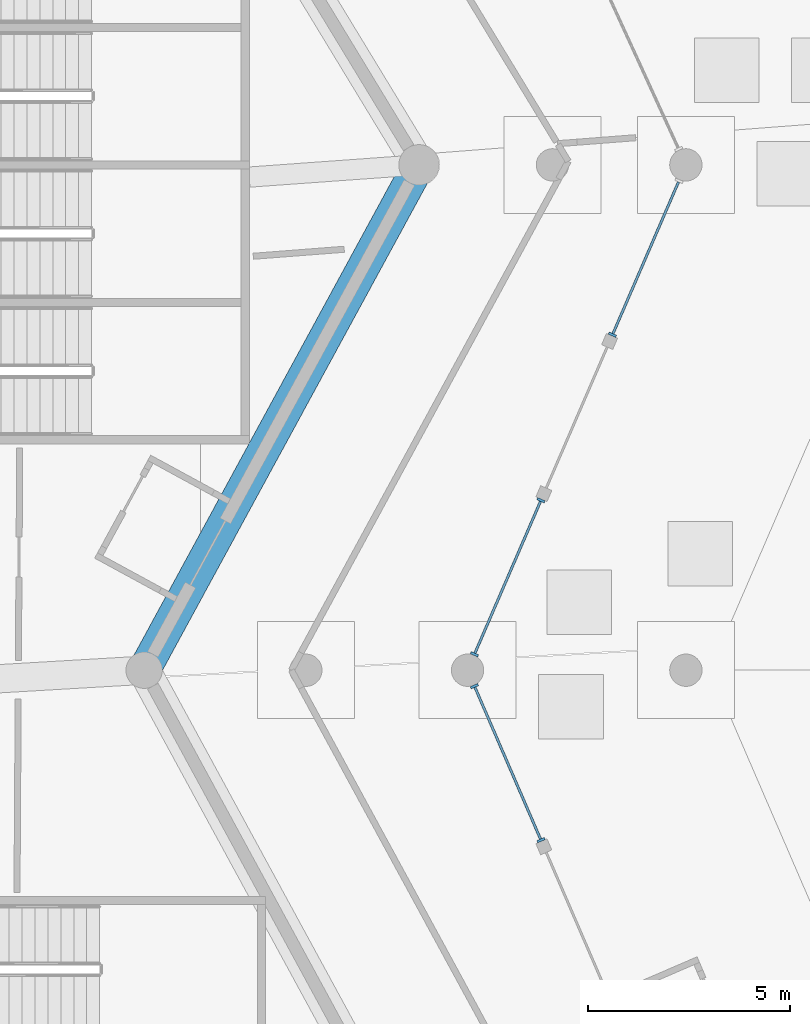
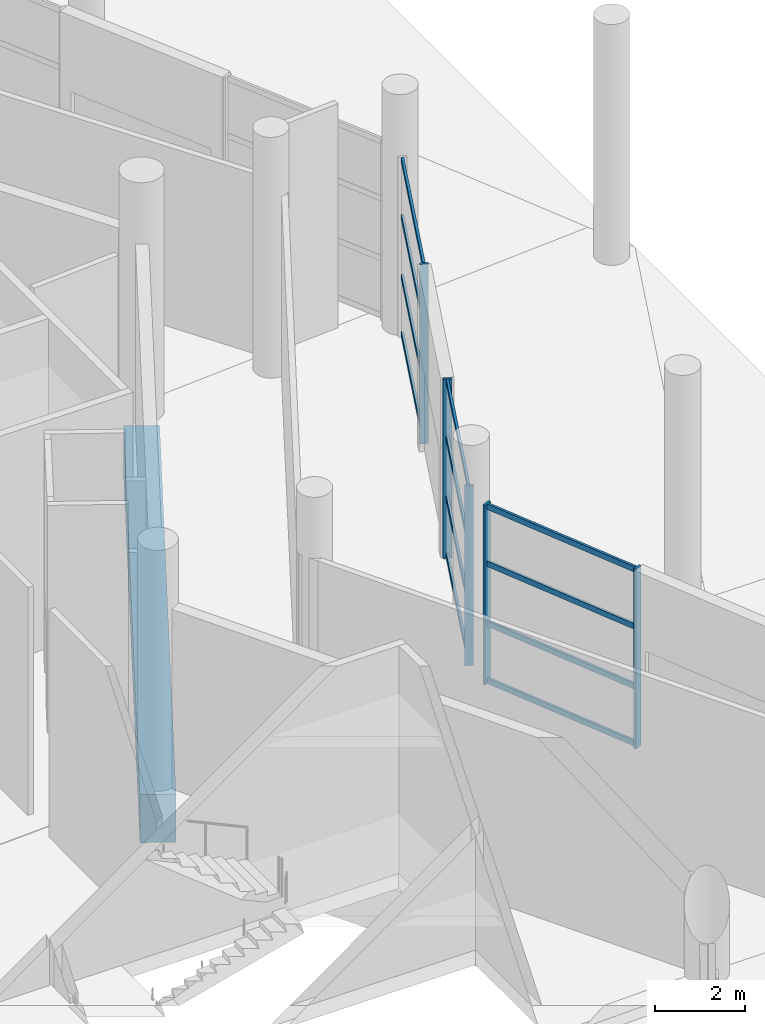
# One storey, part 58 of 255: 17 members, 1 beam, 3 elements without a shape of their own.
"""IFC4 building model written with IfcOpenShell, lengths in metres."""

from ifc_helpers import new_model, si_unit, direction, frame, origin, origin_2d, place, context, subcontext, project, spatial, rectangle, extrude, material, layer, layer_set, material_profile, profile_set, type_object, element, aggregate, save


model = new_model("IFC4")

# Units and contexts
model_context = context("Model", 3, precision=1e-05, world=origin(), true_north=direction((0.0, 1.0)))
body_context = subcontext(model_context, "Body", "Model", "MODEL_VIEW")
ifc_project = project(units=[si_unit("LENGTHUNIT", "METRE"), si_unit("AREAUNIT", "SQUARE_METRE"), si_unit("VOLUMEUNIT", "CUBIC_METRE"), si_unit("PLANEANGLEUNIT", "RADIAN"), si_unit("MASSUNIT", "GRAM", prefix="KILO")], contexts=[model_context])

# Site, building, storey
site_placement = place(None, origin())
site = spatial("IfcSite", under=ifc_project, at=site_placement, CompositionType="ELEMENT")
building_placement = place(site_placement, origin())
building = spatial("IfcBuilding", under=site, at=building_placement, Name="Meseta Stadium", CompositionType="ELEMENT")
storey_placement = place(building_placement, origin())
storey = spatial("IfcBuildingStorey", under=building, at=storey_placement, Name="L00", CompositionType="ELEMENT", Elevation=0.0)

# Beam
ifc_material_1 = material(Name="Concrete C40/50", Category="concrete")
ifc_material_profile_1 = material_profile(ifc_material_1, rectangle(XDim=0.800048828125, YDim=1.300048828125, at=origin_2d()), Name="RC 800x1300")
ifc_profile_set_1 = profile_set([ifc_material_profile_1], Name="Concrete C40/50")
beam_type = type_object("IfcBeamType", Name="RC beam 800x1300", PredefinedType="BEAM", material=ifc_profile_set_1)
beam_placement = place(storey_placement, frame((94.60009765625, 31.25, -1.050048828125), z_axis=(0.47785649891, 0.878437912689, 0.0), x_axis=(-0.878437912689, 0.47785649891, 0.0)))
element("IfcBeam", 1, at=beam_placement, inside=storey, type_object=beam_type, Name="L00 ring beam frame 7 line R", PredefinedType="BEAM", context=body_context, shape_type="SweptSolid", body=[
    extrude(rectangle(XDim=0.800048828125, YDim=1.300048828125, at=origin_2d()), origin(), (0.0, 0.0, 1.0), 14.229736328125),
])

# Curtain wall, members
ifc_material_2 = material(Name="Aluminium", Category="aluminium")
ifc_layer = layer(ifc_material_2, 0.199951171875)
ifc_layer_set = layer_set([ifc_layer], Name="Ring shopfront curtain wall")
curtain_wall_type = type_object("IfcCurtainWallType", Name="Ring shopfront curtain wall", PredefinedType="NOTDEFINED", material=ifc_layer_set)
curtain_wall_1_placement = place(storey_placement, origin())
curtain_wall_1 = element("IfcCurtainWall", 2, at=curtain_wall_1_placement, inside=storey, type_object=curtain_wall_type, Name="Shopfront glazing F06b", PredefinedType="NOTDEFINED")
ifc_material_3 = material(Name="Aluminium", Category="aluminium")
ifc_material_profile_2 = material_profile(ifc_material_3, rectangle(XDim=0.199951171875, YDim=0.06005859375, at=origin_2d()), Name="CW 200x60")
ifc_profile_set_2 = profile_set([ifc_material_profile_2], Name="Aluminium")
member_type_1 = type_object("IfcMemberType", Name="Ring CW mullion 60x200", PredefinedType="MULLION", material=ifc_profile_set_2)
member_1_placement = place(storey_placement, frame((104.41552734375, 27.047119140625, 0.0), z_axis=(0.0, 0.0, 1.0), x_axis=(-0.918001803218, -0.396576208678, 0.0)))
member_1 = element("IfcMember", 3, at=member_1_placement, type_object=member_type_1, Name="CWR1 mullion 1", PredefinedType="MULLION", context=body_context, shape_type="SweptSolid", body=[
    extrude(rectangle(XDim=0.199951171875, YDim=0.06005859375, at=origin_2d()), origin(), (0.0, 0.0, 1.0), 4.85009765625),
])
member_2_placement = place(storey_placement, frame((102.7705078125, 30.855224609375, 0.0), z_axis=(0.0, 0.0, 1.0), x_axis=(-0.918001803218, -0.396576208678, 0.0)))
member_2 = element("IfcMember", 4, at=member_2_placement, type_object=member_type_1, Name="CWR1 mullion 2", PredefinedType="MULLION", context=body_context, shape_type="SweptSolid", body=[
    extrude(rectangle(XDim=0.199951171875, YDim=0.06005859375, at=origin_2d()), origin(), (0.0, 0.0, 1.0), 4.85009765625),
])

curtain_wall_2_placement = place(storey_placement, origin())
curtain_wall_2 = element("IfcCurtainWall", 5, at=curtain_wall_2_placement, inside=storey, type_object=curtain_wall_type, Name="Shopfront glazing F07a", PredefinedType="NOTDEFINED")
member_3_placement = place(storey_placement, frame((102.7705078125, 31.644775390625, 0.0), z_axis=(0.0, 0.0, 1.0), x_axis=(-0.918001803218, 0.396576208678, 0.0)))
member_3 = element("IfcMember", 6, at=member_3_placement, type_object=member_type_1, Name="CWR1 mullion 1", PredefinedType="MULLION", context=body_context, shape_type="SweptSolid", body=[
    extrude(rectangle(XDim=0.199951171875, YDim=0.06005859375, at=origin_2d()), origin(), (0.0, 0.0, 1.0), 4.85009765625),
])
member_4_placement = place(storey_placement, frame((104.41552734375, 35.452880859375, 0.0), z_axis=(0.0, 0.0, 1.0), x_axis=(-0.918001803218, 0.396576208678, 0.0)))
member_4 = element("IfcMember", 7, at=member_4_placement, type_object=member_type_1, Name="CWR1 mullion 2", PredefinedType="MULLION", context=body_context, shape_type="SweptSolid", body=[
    extrude(rectangle(XDim=0.199951171875, YDim=0.06005859375, at=origin_2d()), origin(), (0.0, 0.0, 1.0), 4.85009765625),
])

# Curtain wall, member
curtain_wall_3_placement = place(storey_placement, origin())
curtain_wall_3 = element("IfcCurtainWall", 8, at=curtain_wall_3_placement, inside=storey, type_object=curtain_wall_type, Name="Shopfront glazing F07b", PredefinedType="NOTDEFINED")
member_5_placement = place(storey_placement, frame((106.184326171875, 39.547119140625, 0.0), z_axis=(0.0, 0.0, 1.0), x_axis=(-0.918001803218, 0.396576208678, 0.0)))
member_5 = element("IfcMember", 9, at=member_5_placement, type_object=member_type_1, Name="CWR1 mullion 1", PredefinedType="MULLION", context=body_context, shape_type="SweptSolid", body=[
    extrude(rectangle(XDim=0.199951171875, YDim=0.06005859375, at=origin_2d()), origin(), (0.0, 0.0, 1.0), 4.85009765625),
])

# Member
ifc_material_4 = material(Name="Aluminium", Category="aluminium")
ifc_material_profile_3 = material_profile(ifc_material_4, rectangle(XDim=0.06005859375, YDim=0.14990234375, at=origin_2d()), Name="CW 60x150")
ifc_profile_set_3 = profile_set([ifc_material_profile_3], Name="Aluminium")
member_type_2 = type_object("IfcMemberType", Name="Ring CW transom 60x150", PredefinedType="USERDEFINED", material=ifc_profile_set_3)
member_6_placement = place(storey_placement, frame((104.40380859375, 27.07470703125, 0.074951171875), z_axis=(-0.396591585893, 0.917995160118, 0.0), x_axis=(-0.917995160118, -0.396591585893, 0.0)))
member_6 = element("IfcMember", 10, at=member_6_placement, type_object=member_type_2, Name="CWR1 transom 1.1", ObjectType="TRANSOM", PredefinedType="USERDEFINED", context=body_context, shape_type="SweptSolid", body=[
    extrude(rectangle(XDim=0.06005859375, YDim=0.14990234375, at=origin_2d()), origin(), (0.0, 0.0, 1.0), 4.088134765625),
])

member_7_placement = place(storey_placement, frame((104.40380859375, 27.07470703125, 1.61669921875), z_axis=(-0.396591585893, 0.917995160118, 0.0), x_axis=(-0.917995160118, -0.396591585893, 0.0)))
member_7 = element("IfcMember", 11, at=member_7_placement, type_object=member_type_2, Name="CWR1 transom 1.2", ObjectType="TRANSOM", PredefinedType="USERDEFINED", context=body_context, shape_type="SweptSolid", body=[
    extrude(rectangle(XDim=0.06005859375, YDim=0.14990234375, at=origin_2d()), origin(), (0.0, 0.0, 1.0), 4.088134765625),
])

member_8_placement = place(storey_placement, frame((104.40380859375, 27.07470703125, 3.2333984375), z_axis=(-0.396591585893, 0.917995160118, 0.0), x_axis=(-0.917995160118, -0.396591585893, 0.0)))
member_8 = element("IfcMember", 12, at=member_8_placement, type_object=member_type_2, Name="CWR1 transom 1.3", ObjectType="TRANSOM", PredefinedType="USERDEFINED", context=body_context, shape_type="SweptSolid", body=[
    extrude(rectangle(XDim=0.06005859375, YDim=0.14990234375, at=origin_2d()), origin(), (0.0, 0.0, 1.0), 4.088134765625),
])

member_9_placement = place(storey_placement, frame((104.40380859375, 27.07470703125, 4.77490234375), z_axis=(-0.396591585893, 0.917995160118, 0.0), x_axis=(-0.917995160118, -0.396591585893, 0.0)))
member_9 = element("IfcMember", 13, at=member_9_placement, type_object=member_type_2, Name="CWR1 transom 1.4", ObjectType="TRANSOM", PredefinedType="USERDEFINED", context=body_context, shape_type="SweptSolid", body=[
    extrude(rectangle(XDim=0.06005859375, YDim=0.14990234375, at=origin_2d()), origin(), (0.0, 0.0, 1.0), 4.088134765625),
])

aggregate(curtain_wall_1, [member_1, member_2, member_6, member_7, member_8, member_9])

member_10_placement = place(storey_placement, frame((102.782470703125, 31.67236328125, 0.074951171875), z_axis=(0.396591585893, 0.917995160118, 0.0), x_axis=(-0.917995160118, 0.396591585893, 0.0)))
member_10 = element("IfcMember", 14, at=member_10_placement, type_object=member_type_2, Name="CWR1 transom 1.1", ObjectType="TRANSOM", PredefinedType="USERDEFINED", context=body_context, shape_type="SweptSolid", body=[
    extrude(rectangle(XDim=0.06005859375, YDim=0.14990234375, at=origin_2d()), origin(), (0.0, 0.0, 1.0), 4.088134765625),
])

member_11_placement = place(storey_placement, frame((102.782470703125, 31.67236328125, 1.61669921875), z_axis=(0.396591585893, 0.917995160118, 0.0), x_axis=(-0.917995160118, 0.396591585893, 0.0)))
member_11 = element("IfcMember", 15, at=member_11_placement, type_object=member_type_2, Name="CWR1 transom 1.2", ObjectType="TRANSOM", PredefinedType="USERDEFINED", context=body_context, shape_type="SweptSolid", body=[
    extrude(rectangle(XDim=0.06005859375, YDim=0.14990234375, at=origin_2d()), origin(), (0.0, 0.0, 1.0), 4.088134765625),
])

member_12_placement = place(storey_placement, frame((102.782470703125, 31.67236328125, 3.2333984375), z_axis=(0.396591585893, 0.917995160118, 0.0), x_axis=(-0.917995160118, 0.396591585893, 0.0)))
member_12 = element("IfcMember", 16, at=member_12_placement, type_object=member_type_2, Name="CWR1 transom 1.3", ObjectType="TRANSOM", PredefinedType="USERDEFINED", context=body_context, shape_type="SweptSolid", body=[
    extrude(rectangle(XDim=0.06005859375, YDim=0.14990234375, at=origin_2d()), origin(), (0.0, 0.0, 1.0), 4.088134765625),
])

member_13_placement = place(storey_placement, frame((102.782470703125, 31.67236328125, 4.77490234375), z_axis=(0.396591585893, 0.917995160118, 0.0), x_axis=(-0.917995160118, 0.396591585893, 0.0)))
member_13 = element("IfcMember", 17, at=member_13_placement, type_object=member_type_2, Name="CWR1 transom 1.4", ObjectType="TRANSOM", PredefinedType="USERDEFINED", context=body_context, shape_type="SweptSolid", body=[
    extrude(rectangle(XDim=0.06005859375, YDim=0.14990234375, at=origin_2d()), origin(), (0.0, 0.0, 1.0), 4.088134765625),
])

aggregate(curtain_wall_2, [member_3, member_4, member_10, member_11, member_12, member_13])

member_14_placement = place(storey_placement, frame((106.1962890625, 39.57470703125, 0.074951171875), z_axis=(0.396591585893, 0.917995160118, 0.0), x_axis=(-0.917995160118, 0.396591585893, 0.0)))
member_14 = element("IfcMember", 18, at=member_14_placement, type_object=member_type_2, Name="CWR1 transom 1.1", ObjectType="TRANSOM", PredefinedType="USERDEFINED", context=body_context, shape_type="SweptSolid", body=[
    extrude(rectangle(XDim=0.06005859375, YDim=0.14990234375, at=origin_2d()), origin(), (0.0, 0.0, 1.0), 4.088134765625),
])

member_15_placement = place(storey_placement, frame((106.1962890625, 39.57470703125, 1.61669921875), z_axis=(0.396591585893, 0.917995160118, 0.0), x_axis=(-0.917995160118, 0.396591585893, 0.0)))
member_15 = element("IfcMember", 19, at=member_15_placement, type_object=member_type_2, Name="CWR1 transom 1.2", ObjectType="TRANSOM", PredefinedType="USERDEFINED", context=body_context, shape_type="SweptSolid", body=[
    extrude(rectangle(XDim=0.06005859375, YDim=0.14990234375, at=origin_2d()), origin(), (0.0, 0.0, 1.0), 4.088134765625),
])

member_16_placement = place(storey_placement, frame((106.1962890625, 39.57470703125, 3.2333984375), z_axis=(0.396591585893, 0.917995160118, 0.0), x_axis=(-0.917995160118, 0.396591585893, 0.0)))
member_16 = element("IfcMember", 20, at=member_16_placement, type_object=member_type_2, Name="CWR1 transom 1.3", ObjectType="TRANSOM", PredefinedType="USERDEFINED", context=body_context, shape_type="SweptSolid", body=[
    extrude(rectangle(XDim=0.06005859375, YDim=0.14990234375, at=origin_2d()), origin(), (0.0, 0.0, 1.0), 4.088134765625),
])

member_17_placement = place(storey_placement, frame((106.1962890625, 39.57470703125, 4.77490234375), z_axis=(0.396591585893, 0.917995160118, 0.0), x_axis=(-0.917995160118, 0.396591585893, 0.0)))
member_17 = element("IfcMember", 21, at=member_17_placement, type_object=member_type_2, Name="CWR1 transom 1.4", ObjectType="TRANSOM", PredefinedType="USERDEFINED", context=body_context, shape_type="SweptSolid", body=[
    extrude(rectangle(XDim=0.06005859375, YDim=0.14990234375, at=origin_2d()), origin(), (0.0, 0.0, 1.0), 4.088134765625),
])

aggregate(curtain_wall_3, [member_5, member_14, member_15, member_16, member_17])

save(model, "model.ifc")
